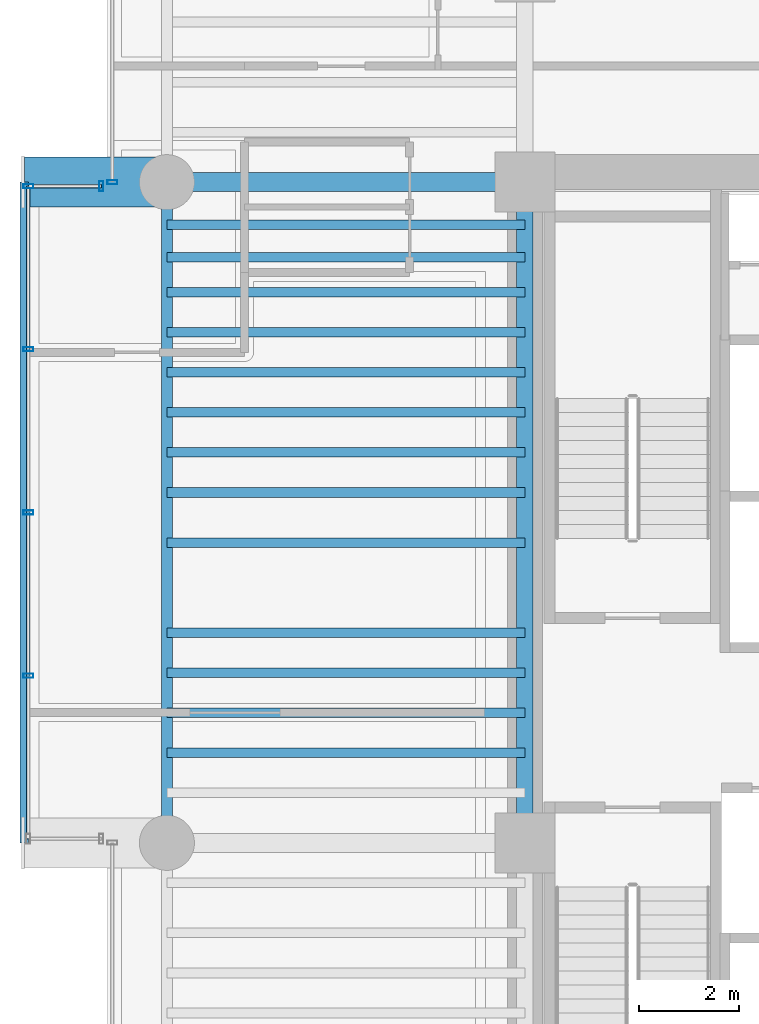
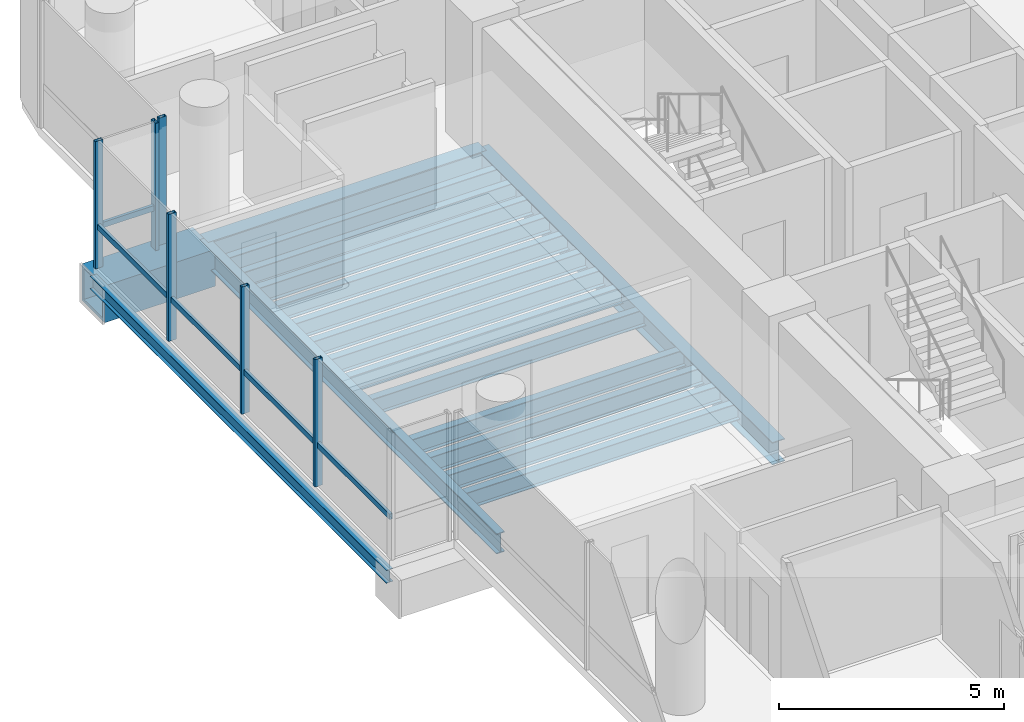
# One storey, part 7 of 36: 18 beams, 8 members, 3 elements without a shape of their own.
"""IFC4 building model written with IfcOpenShell, lengths in metres."""

from ifc_helpers import new_model, si_unit, direction, frame, origin, origin_2d, place, context, subcontext, project, spatial, hollow_rectangle, i_section, extrude, source, transform, mapped, material, material_profile, profile_set, type_object, element, aggregate, save


model = new_model("IFC4")

# Units and contexts
model_context = context("Model", 3, precision=1e-05, world=origin(), true_north=direction((0.0, 1.0)))
body_context = subcontext(model_context, "Body", "Model", "MODEL_VIEW")
ifc_project = project(units=[si_unit("LENGTHUNIT", "METRE"), si_unit("AREAUNIT", "SQUARE_METRE"), si_unit("VOLUMEUNIT", "CUBIC_METRE"), si_unit("PLANEANGLEUNIT", "RADIAN"), si_unit("MASSUNIT", "GRAM", prefix="KILO")], contexts=[model_context])

# Site, building, storey
site_placement = place(None, origin())
site = spatial("IfcSite", under=ifc_project, at=site_placement, CompositionType="ELEMENT")
building_placement = place(site_placement, origin())
building = spatial("IfcBuilding", under=site, at=building_placement, Name="Valdorenza Pilgrim Sanctuary Tower", CompositionType="ELEMENT")
storey_placement = place(building_placement, frame((0.0, 0.0, 109.39990234375)))
storey = spatial("IfcBuildingStorey", under=building, at=storey_placement, Name="L27", CompositionType="ELEMENT", Elevation=109.39990234375)

# Beams
ifc_material_1 = material(Name="Steel ASTM A992 Grade 50", Category="steel")
ifc_material_profile_1 = material_profile(ifc_material_1, i_section(OverallWidth=0.214111328125, OverallDepth=0.549072265625, WebThickness=0.0146484375, FlangeThickness=0.023681640625, at=origin_2d()), Name="W21X93")
ifc_profile_set_1 = profile_set([ifc_material_profile_1], Name="Steel ASTM A992 Grade 50")
beam_type_1 = type_object("IfcBeamType", Name="STR-BM-SPN-W21A", PredefinedType="SPANDREL", material=ifc_profile_set_1)
shared_shape_1 = source(origin(), body_context, "Body", "SweptSolid", [
    extrude(i_section(OverallWidth=0.214111328125, OverallDepth=0.549072265625, WebThickness=0.0146484375, FlangeThickness=0.023681640625, at=origin_2d()), origin(), (0.0, 0.0, 1.0), 13.2001953125),
])
beam_1_placement = place(storey_placement, frame((-29.800048828125, -2.60009765625, -0.514404296875), z_axis=(0.0, 1.0, 0.0), x_axis=(-1.0, 0.0, 0.0)))
element("IfcBeam", 1, at=beam_1_placement, inside=storey, type_object=beam_type_1, Name="L27 Spandrel Beam WA-W-M0N1", PredefinedType="SPANDREL", context=body_context, shape_type="MappedRepresentation", body=[
    mapped(shared_shape_1, transform((0.0, 0.0, 0.0), x_axis=(1.0, 0.0, 0.0), y_axis=(0.0, 1.0, 0.0), z_axis=(0.0, 0.0, 1.0), scale=1.0)),
])
ifc_material_profile_2 = material_profile(ifc_material_1, i_section(OverallWidth=0.323974609375, OverallDepth=0.611083984375, WebThickness=0.0126953125, FlangeThickness=0.01904296875, at=origin_2d()), Name="W24X104")
ifc_profile_set_2 = profile_set([ifc_material_profile_2], Name="Steel ASTM A992 Grade 50")
beam_type_2 = type_object("IfcBeamType", Name="STR-BM-GRD-W24B", PredefinedType="BEAM", material=ifc_profile_set_2)
shared_shape_2 = source(origin(), body_context, "Body", "SweptSolid", [
    extrude(i_section(OverallWidth=0.323974609375, OverallDepth=0.611083984375, WebThickness=0.0126953125, FlangeThickness=0.01904296875, at=origin_2d()), origin(), (0.0, 0.0, 1.0), 13.2001953125),
])
beam_2_placement = place(storey_placement, frame((-22.64990234375, -2.60009765625, -0.54541015625), z_axis=(0.0, 1.0, 0.0), x_axis=(-1.0, 0.0, 0.0)))
element("IfcBeam", 2, at=beam_2_placement, inside=storey, type_object=beam_type_2, Name="L27 Core Tie Girder CA-W-M0N1", PredefinedType="BEAM", context=body_context, shape_type="MappedRepresentation", body=[
    mapped(shared_shape_2, transform((0.0, 0.0, 0.0), x_axis=(1.0, 0.0, 0.0), y_axis=(0.0, 1.0, 0.0), z_axis=(0.0, 0.0, 1.0), scale=1.0)),
])
ifc_material_profile_3 = material_profile(ifc_material_1, i_section(OverallWidth=0.1708984375, OverallDepth=0.35107421875, WebThickness=0.0068359375, FlangeThickness=0.009765625, at=origin_2d()), Name="W14X30")
ifc_profile_set_3 = profile_set([ifc_material_profile_3], Name="Steel ASTM A992 Grade 50")
beam_type_3 = type_object("IfcBeamType", Name="STR-BM-BOX-W14", PredefinedType="BEAM", material=ifc_profile_set_3)
shared_shape_3 = source(origin(), body_context, "Body", "SweptSolid", [
    extrude(i_section(OverallWidth=0.1708984375, OverallDepth=0.35107421875, WebThickness=0.0068359375, FlangeThickness=0.009765625, at=origin_2d()), origin(), (0.0, 0.0, 1.0), 13.2001953125),
])
beam_3_placement = place(storey_placement, frame((-32.64990234375, -2.60009765625, -0.415283203125), z_axis=(0.0, 1.0, 0.0), x_axis=(-1.0, 0.0, 0.0)))
element("IfcBeam", 3, at=beam_3_placement, inside=storey, type_object=beam_type_3, Name="L27 Glass Box Edge Beam BOX-WA-L27-F", PredefinedType="BEAM", context=body_context, shape_type="MappedRepresentation", body=[
    mapped(shared_shape_3, transform((0.0, 0.0, 0.0), x_axis=(1.0, 0.0, 0.0), y_axis=(0.0, 1.0, 0.0), z_axis=(0.0, 0.0, 1.0), scale=1.0)),
])
ifc_material_profile_4 = material_profile(ifc_material_1, i_section(OverallWidth=0.382080078125, OverallDepth=0.779052734375, WebThickness=0.01806640625, FlangeThickness=0.030029296875, at=origin_2d()), Name="W30X191")
ifc_profile_set_4 = profile_set([ifc_material_profile_4], Name="Steel ASTM A992 Grade 50")
beam_type_4 = type_object("IfcBeamType", Name="STR-BM-GRD-W30", PredefinedType="BEAM", material=ifc_profile_set_4)
shared_shape_4 = source(origin(), body_context, "Body", "SweptSolid", [
    extrude(i_section(OverallWidth=0.382080078125, OverallDepth=0.779052734375, WebThickness=0.01806640625, FlangeThickness=0.030029296875, at=origin_2d()), origin(), (0.0, 0.0, 1.0), 7.150146484375),
])
beam_4_placement = place(storey_placement, frame((-29.800048828125, 10.60009765625, -0.62939453125), z_axis=(1.0, 0.0, 0.0), x_axis=(0.0, 1.0, 0.0)))
element("IfcBeam", 4, at=beam_4_placement, inside=storey, type_object=beam_type_4, Name="L27 Floor Girder WA-XW-N1", PredefinedType="BEAM", context=body_context, shape_type="MappedRepresentation", body=[
    mapped(shared_shape_4, transform((0.0, 0.0, 0.0), x_axis=(1.0, 0.0, 0.0), y_axis=(0.0, 1.0, 0.0), z_axis=(0.0, 0.0, 1.0), scale=1.0)),
])
ifc_material_profile_5 = material_profile(ifc_material_1, i_section(OverallWidth=0.19091796875, OverallDepth=0.45703125, WebThickness=0.009033203125, FlangeThickness=0.014404296875, at=origin_2d()), Name="W18X50")
ifc_profile_set_5 = profile_set([ifc_material_profile_5], Name="Steel ASTM A992 Grade 50")
beam_type_5 = type_object("IfcBeamType", Name="STR-BM-JST-W18B", PredefinedType="JOIST", material=ifc_profile_set_5)
shared_shape_5 = source(origin(), body_context, "Body", "SweptSolid", [
    extrude(i_section(OverallWidth=0.19091796875, OverallDepth=0.45703125, WebThickness=0.009033203125, FlangeThickness=0.014404296875, at=origin_2d()), origin(), (0.0, 0.0, 1.0), 7.150146484375),
])
for number, where, z_axis, x_axis, name in (
    (5, (-29.800048828125, -0.800048828125, -0.468505859375), (1.0, 0.0, 0.0), (0.0, 1.0, 0.0), "L27 Composite Floor Joist JST-WA-11"),
    (6, (-29.800048828125, 0.0, -0.468505859375), (1.0, 0.0, 0.0), (0.0, 1.0, 0.0), "L27 Composite Floor Joist JST-WA-12"),
    (7, (-29.800048828125, 0.800048828125, -0.468505859375), (1.0, 0.0, 0.0), (0.0, 1.0, 0.0), "L27 Composite Floor Joist JST-WA-13"),
    (8, (-29.800048828125, 1.60009765625, -0.468505859375), (1.0, 0.0, 0.0), (0.0, 1.0, 0.0), "L27 Composite Floor Joist JST-WA-14"),
    (9, (-29.800048828125, 3.39990234375, -0.468505859375), (1.0, 0.0, 0.0), (0.0, 1.0, 0.0), "L27 Composite Floor Joist JST-WA-15"),
    (10, (-29.800048828125, 4.39990234375, -0.468505859375), (1.0, 0.0, 0.0), (0.0, 1.0, 0.0), "L27 Composite Floor Joist JST-WA-16"),
    (11, (-29.800048828125, 5.199951171875, -0.468505859375), (1.0, 0.0, 0.0), (0.0, 1.0, 0.0), "L27 Composite Floor Joist JST-WA-17"),
    (12, (-29.800048828125, 6.0, -0.468505859375), (1.0, 0.0, 0.0), (0.0, 1.0, 0.0), "L27 Composite Floor Joist JST-WA-18"),
    (13, (-29.800048828125, 6.800048828125, -0.468505859375), (1.0, 0.0, 0.0), (0.0, 1.0, 0.0), "L27 Composite Floor Joist JST-WA-19"),
    (14, (-29.800048828125, 7.60009765625, -0.468505859375), (1.0, 0.0, 0.0), (0.0, 1.0, 0.0), "L27 Composite Floor Joist JST-WA-20"),
    (15, (-29.800048828125, 8.39990234375, -0.468505859375), (1.0, 0.0, 0.0), (0.0, 1.0, 0.0), "L27 Composite Floor Joist JST-WA-21"),
    (16, (-29.800048828125, 9.10009765625, -0.468505859375), (1.0, 0.0, 0.0), (0.0, 1.0, 0.0), "L27 Composite Floor Joist JST-WA-22"),
    (17, (-29.800048828125, 9.75, -0.468505859375), (1.0, 0.0, 0.0), (0.0, 1.0, 0.0), "L27 Composite Floor Joist JST-WA-23"),
):
    element("IfcBeam", number, at=place(storey_placement, frame(where, z_axis=z_axis, x_axis=x_axis)), inside=storey, type_object=beam_type_5, Name=name, PredefinedType="JOIST", context=body_context, shape_type="MappedRepresentation", body=[
        mapped(shared_shape_5, transform((0.0, 0.0, 0.0), x_axis=(1.0, 0.0, 0.0), y_axis=(0.0, 1.0, 0.0), z_axis=(0.0, 0.0, 1.0), scale=1.0)),
    ])
ifc_material_2 = material(Name="Steel ASTM A572 Grade 42", Category="steel")
ifc_material_profile_6 = material_profile(ifc_material_2, hollow_rectangle(XDim=1.0, YDim=1.0, WallThickness=0.080078125, at=origin_2d()), Name="BOX 1000x1000x80")
ifc_profile_set_6 = profile_set([ifc_material_profile_6], Name="Steel ASTM A572 Grade 42")
beam_type_6 = type_object("IfcBeamType", Name="STR-BM-PROW-CANT", PredefinedType="BEAM", material=ifc_profile_set_6)
shared_shape_6 = source(origin(), body_context, "Body", "SweptSolid", [
    extrude(hollow_rectangle(XDim=1.0, YDim=1.0, WallThickness=0.080078125, at=origin_2d()), origin(), (0.0, 0.0, 1.0), 2.849853515625),
])
beam_5_placement = place(storey_placement, frame((-29.800048828125, 10.60009765625, -0.739990234375), z_axis=(-1.0, 0.0, 0.0), x_axis=(0.0, -1.0, 0.0)))
element("IfcBeam", 18, at=beam_5_placement, inside=storey, type_object=beam_type_6, Name="L27 Glass Box Cantilever Beam BOX-WA-L27-CT-N", PredefinedType="BEAM", context=body_context, shape_type="MappedRepresentation", body=[
    mapped(shared_shape_6, transform((0.0, 0.0, 0.0), x_axis=(1.0, 0.0, 0.0), y_axis=(0.0, 1.0, 0.0), z_axis=(0.0, 0.0, 1.0), scale=1.0)),
])

# Curtain wall, member
ifc_material_3 = material(Name="Curtain-wall IGU glazing", Category="glass")
curtain_wall_type = type_object("IfcCurtainWallType", Name="CW-SYS-02", PredefinedType="NOTDEFINED", material=ifc_material_3)
curtain_wall_1_placement = place(storey_placement, origin())
curtain_wall_1 = element("IfcCurtainWall", 19, at=curtain_wall_1_placement, inside=storey, type_object=curtain_wall_type, Name="L27 Curtain Wall CW-L27-BOX-WA-L27-N", PredefinedType="NOTDEFINED")
ifc_material_4 = material(Name="Anodised aluminium AW-6060", Category="aluminium")
ifc_material_profile_7 = material_profile(ifc_material_4, hollow_rectangle(XDim=0.074951171875, YDim=0.14990234375, WallThickness=0.00390625, at=origin_2d()), Name="ALU-T 150x75x4")
ifc_profile_set_7 = profile_set([ifc_material_profile_7], Name="Anodised aluminium AW-6060")
member_type_1 = type_object("IfcMemberType", Name="CW-TRN-02", PredefinedType="USERDEFINED", material=ifc_profile_set_7)
shared_shape_7 = source(origin(), body_context, "Body", "SweptSolid", [
    extrude(hollow_rectangle(XDim=0.074951171875, YDim=0.14990234375, WallThickness=0.00390625, at=origin_2d()), origin(), (0.0, 0.0, 1.0), 1.4599609375),
])
member_1_placement = place(storey_placement, frame((-32.570068359375, 10.52001953125, 1.1201171875), z_axis=(1.0, 0.0, 0.0), x_axis=(0.0, 1.0, 0.0)))
member_1 = element("IfcMember", 20, at=member_1_placement, type_object=member_type_1, Name="CW-L27-BOX-WA-L27-N Transom 1", ObjectType="TRANSOM", PredefinedType="USERDEFINED", context=body_context, shape_type="MappedRepresentation", body=[
    mapped(shared_shape_7, transform((0.0, 0.0, 0.0), x_axis=(1.0, 0.0, 0.0), y_axis=(0.0, 1.0, 0.0), z_axis=(0.0, 0.0, 1.0), scale=1.0)),
])

curtain_wall_2_placement = place(storey_placement, origin())
curtain_wall_2 = element("IfcCurtainWall", 21, at=curtain_wall_2_placement, inside=storey, type_object=curtain_wall_type, Name="L27 Curtain Wall CW-L27-1-1S2", PredefinedType="NOTDEFINED")
ifc_material_profile_8 = material_profile(ifc_material_4, hollow_rectangle(XDim=0.0849609375, YDim=0.199951171875, WallThickness=0.0048828125, at=origin_2d()), Name="ALU-M 200x85x5")
ifc_profile_set_8 = profile_set([ifc_material_profile_8], Name="Anodised aluminium AW-6060")
member_type_2 = type_object("IfcMemberType", Name="CW-MUL-02", PredefinedType="MULLION", material=ifc_profile_set_8)
shared_shape_8 = source(origin(), body_context, "Body", "SweptSolid", [
    extrude(hollow_rectangle(XDim=0.0849609375, YDim=0.199951171875, WallThickness=0.0048828125, at=origin_2d()), origin(), (0.0, 0.0, 1.0), 3.460205078125),
])
member_2_placement = place(storey_placement, frame((-30.889892578125, 10.60009765625, 0.0), z_axis=(0.0, 0.0, 1.0), x_axis=(0.0, 1.0, 0.0)))
member_2 = element("IfcMember", 22, at=member_2_placement, type_object=member_type_2, Name="CW-L27-1-1S2 Mullion 1", PredefinedType="MULLION", context=body_context, shape_type="MappedRepresentation", body=[
    mapped(shared_shape_8, transform((0.0, 0.0, 0.0), x_axis=(1.0, 0.0, 0.0), y_axis=(0.0, 1.0, 0.0), z_axis=(0.0, 0.0, 1.0), scale=1.0)),
])
aggregate(curtain_wall_2, [member_2])

# Curtain wall, members
curtain_wall_3_placement = place(storey_placement, origin())
curtain_wall_3 = element("IfcCurtainWall", 23, at=curtain_wall_3_placement, inside=storey, type_object=curtain_wall_type, Name="L27 Curtain Wall CW-L27-BOX-WA-L27-F", PredefinedType="NOTDEFINED")
member_3_placement = place(storey_placement, frame((-32.570068359375, 0.739990234375, 0.0), z_axis=(0.0, 0.0, 1.0), x_axis=(0.0, 1.0, 0.0)))
member_3 = element("IfcMember", 24, at=member_3_placement, type_object=member_type_2, Name="CW-L27-BOX-WA-L27-F Mullion 2", PredefinedType="MULLION", context=body_context, shape_type="MappedRepresentation", body=[
    mapped(shared_shape_8, transform((0.0, 0.0, 0.0), x_axis=(1.0, 0.0, 0.0), y_axis=(0.0, 1.0, 0.0), z_axis=(0.0, 0.0, 1.0), scale=1.0)),
])
member_4_placement = place(storey_placement, frame((-32.570068359375, 4.0, 0.0), z_axis=(0.0, 0.0, 1.0), x_axis=(0.0, 1.0, 0.0)))
member_4 = element("IfcMember", 25, at=member_4_placement, type_object=member_type_2, Name="CW-L27-BOX-WA-L27-F Mullion 3", PredefinedType="MULLION", context=body_context, shape_type="MappedRepresentation", body=[
    mapped(shared_shape_8, transform((0.0, 0.0, 0.0), x_axis=(1.0, 0.0, 0.0), y_axis=(0.0, 1.0, 0.0), z_axis=(0.0, 0.0, 1.0), scale=1.0)),
])
member_5_placement = place(storey_placement, frame((-32.570068359375, 7.260009765625, 0.0), z_axis=(0.0, 0.0, 1.0), x_axis=(0.0, 1.0, 0.0)))
member_5 = element("IfcMember", 26, at=member_5_placement, type_object=member_type_2, Name="CW-L27-BOX-WA-L27-F Mullion 4", PredefinedType="MULLION", context=body_context, shape_type="MappedRepresentation", body=[
    mapped(shared_shape_8, transform((0.0, 0.0, 0.0), x_axis=(1.0, 0.0, 0.0), y_axis=(0.0, 1.0, 0.0), z_axis=(0.0, 0.0, 1.0), scale=1.0)),
])
member_6_placement = place(storey_placement, frame((-32.570068359375, 10.52001953125, 0.0), z_axis=(0.0, 0.0, 1.0), x_axis=(0.0, 1.0, 0.0)))
member_6 = element("IfcMember", 27, at=member_6_placement, type_object=member_type_2, Name="CW-L27-BOX-WA-L27-F Mullion 5", PredefinedType="MULLION", context=body_context, shape_type="MappedRepresentation", body=[
    mapped(shared_shape_8, transform((0.0, 0.0, 0.0), x_axis=(1.0, 0.0, 0.0), y_axis=(0.0, 1.0, 0.0), z_axis=(0.0, 0.0, 1.0), scale=1.0)),
])

# Member
member_7_placement = place(storey_placement, frame((-31.110107421875, 10.52001953125, 0.0), z_axis=(0.0, 0.0, 1.0), x_axis=(1.0, 0.0, 0.0)))
member_7 = element("IfcMember", 28, at=member_7_placement, type_object=member_type_2, Name="CW-L27-BOX-WA-L27-N Mullion 2", PredefinedType="MULLION", context=body_context, shape_type="MappedRepresentation", body=[
    mapped(shared_shape_8, transform((0.0, 0.0, 0.0), x_axis=(1.0, 0.0, 0.0), y_axis=(0.0, 1.0, 0.0), z_axis=(0.0, 0.0, 1.0), scale=1.0)),
])

aggregate(curtain_wall_1, [member_7, member_1])

shared_shape_9 = source(origin(), body_context, "Body", "SweptSolid", [
    extrude(hollow_rectangle(XDim=0.074951171875, YDim=0.14990234375, WallThickness=0.00390625, at=origin_2d()), origin(), (0.0, 0.0, 1.0), 13.0400390625),
])
member_8_placement = place(storey_placement, frame((-32.570068359375, -2.52001953125, 1.1201171875), z_axis=(0.0, 1.0, 0.0), x_axis=(-1.0, 0.0, 0.0)))
member_8 = element("IfcMember", 29, at=member_8_placement, type_object=member_type_1, Name="CW-L27-BOX-WA-L27-F Transom 1", ObjectType="TRANSOM", PredefinedType="USERDEFINED", context=body_context, shape_type="MappedRepresentation", body=[
    mapped(shared_shape_9, transform((0.0, 0.0, 0.0), x_axis=(1.0, 0.0, 0.0), y_axis=(0.0, 1.0, 0.0), z_axis=(0.0, 0.0, 1.0), scale=1.0)),
])

aggregate(curtain_wall_3, [member_3, member_4, member_5, member_6, member_8])

save(model, "model.ifc")
